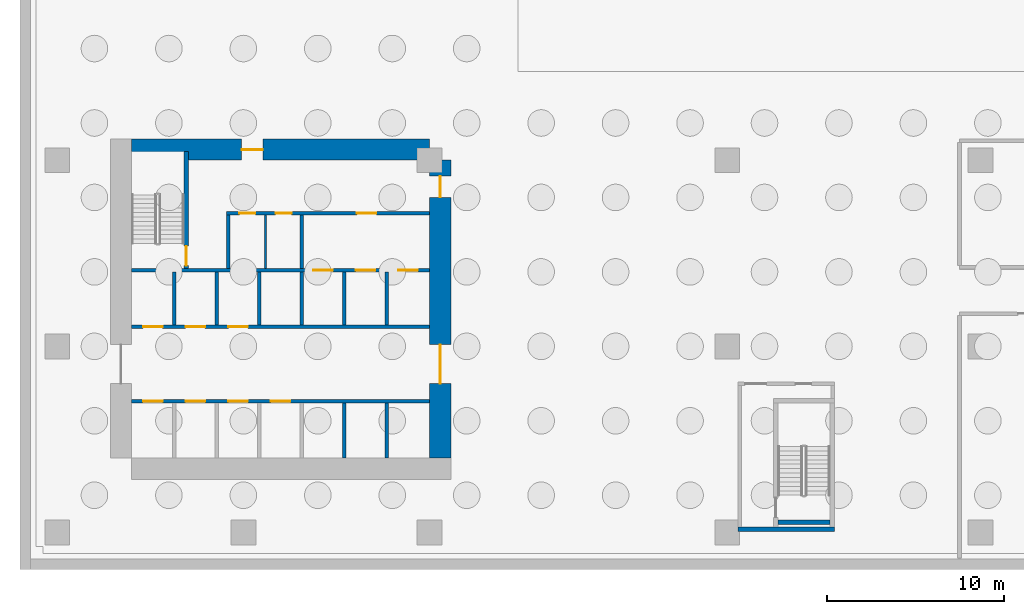
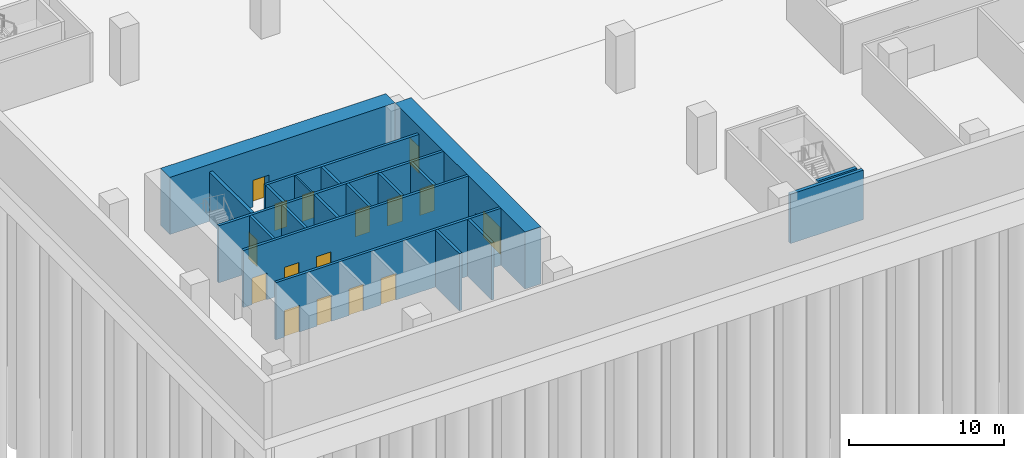
# One storey, part 3 of 13: 20 walls, 17 doors, 17 openings.
"""IFC4 building model written with IfcOpenShell, lengths in metres."""

from ifc_helpers import new_model, si_unit, direction, frame, frame_2d, origin, place, context, subcontext, project, spatial, rectangle, extrude, source, transform, mapped, material, layer, layer_set, type_object, element, fill, save


model = new_model("IFC4")

# Units and contexts
model_context = context("Model", 3, precision=1e-05, world=origin(), true_north=direction((0.0, 1.0)))
body_context = subcontext(model_context, "Body", "Model", "MODEL_VIEW")
ifc_project = project(units=[si_unit("LENGTHUNIT", "METRE"), si_unit("AREAUNIT", "SQUARE_METRE"), si_unit("VOLUMEUNIT", "CUBIC_METRE"), si_unit("PLANEANGLEUNIT", "RADIAN"), si_unit("MASSUNIT", "GRAM", prefix="KILO")], contexts=[model_context])

# Site, building, storey
site_placement = place(None, origin())
site = spatial("IfcSite", under=ifc_project, at=site_placement, CompositionType="ELEMENT")
building_placement = place(site_placement, origin())
building = spatial("IfcBuilding", under=site, at=building_placement, Name="Aurelian Terraces", CompositionType="ELEMENT")
storey_placement = place(building_placement, frame((0.0, 0.0, -13.5)))
storey = spatial("IfcBuildingStorey", under=building, at=storey_placement, Name="B3", CompositionType="ELEMENT", Elevation=-13.5)

# Wall, openings, doors
ifc_material_1 = material(Name="Concrete fc' 83 MPa", Category="concrete")
ifc_layer_1 = layer(ifc_material_1, 1.2)
ifc_layer_set_1 = layer_set([ifc_layer_1], Name="CORE WALL 1200 FC83")
wall_type_1 = type_object("IfcWallType", Name="CORE WALL 1200 FC83", PredefinedType="SHEAR", material=ifc_layer_set_1)
wall_1_placement = place(storey_placement, frame((21.6, 4.2, 0.0), z_axis=(0.0, 0.0, 1.0), x_axis=(0.0, 1.0, 0.0)))
wall_1 = element("IfcWall", 1, at=wall_1_placement, inside=storey, type_object=wall_type_1, Name="Core wall E B3", PredefinedType="SHEAR", context=body_context, shape_type="SweptSolid", body=[
    extrude(rectangle(XDim=16.8, YDim=1.2, at=frame_2d((8.4, 0.0))), origin(), (0.0, 0.0, 1.0), 4.5),
])
opening_1_placement = place(wall_1_placement, frame((4.2, 0.0, 0.0)))
opening_1 = element("IfcOpeningElement", 2, at=opening_1_placement, cuts=wall_1, Name="Opening 60020", PredefinedType="OPENING", context=body_context, shape_type="SweptSolid", body=[
    extrude(rectangle(XDim=2.2, YDim=2.1, at=frame_2d((1.1, 1.05))), frame((0.0, 0.61, 0.0), z_axis=(0.0, -1.0, 0.0), x_axis=(1.0, 0.0, 0.0)), (0.0, 0.0, 1.0), 1.22),
])
shared_shape_1 = source(origin(), body_context, "Body", "SweptSolid", [
    extrude(rectangle(XDim=1.2, YDim=2.1, at=frame_2d((0.6, 1.05))), frame((0.0, 0.61, 0.0), z_axis=(0.0, -1.0, 0.0), x_axis=(1.0, 0.0, 0.0)), (0.0, 0.0, 1.0), 1.22),
])
opening_2_placement = place(wall_1_placement, frame((14.7, 0.0, 0.0)))
opening_2 = element("IfcOpeningElement", 3, at=opening_2_placement, cuts=wall_1, Name="Opening 60023", PredefinedType="OPENING", context=body_context, shape_type="MappedRepresentation", body=[
    mapped(shared_shape_1, transform((0.0, 0.0, 0.0), scale=1.0)),
])
ifc_material_2 = material(Name="Steel door leaf", Category="steel")
door_type_1 = type_object("IfcDoorType", Name="Core double door 2200x2100", OperationType="DOUBLE_DOOR_SINGLE_SWING", PredefinedType="DOOR", material=ifc_material_2)
door_1_placement = place(opening_1_placement, origin())
door_1 = element("IfcDoor", 4, at=door_1_placement, inside=storey, type_object=door_type_1, Name="Core door 60020", OperationType="DOUBLE_DOOR_SINGLE_SWING", OverallHeight=2.1, OverallWidth=2.2, PredefinedType="DOOR", context=body_context, shape_type="SweptSolid", body=[
    extrude(rectangle(XDim=2.2, YDim=2.1, at=frame_2d((1.1, 1.05))), frame((0.0, 0.025, 0.0), z_axis=(0.0, -1.0, 0.0), x_axis=(1.0, 0.0, 0.0)), (0.0, 0.0, 1.0), 0.05),
])
fill(opening_1, door_1)
door_type_2 = type_object("IfcDoorType", Name="Core fire door 1200x2100 right", OperationType="SINGLE_SWING_RIGHT", PredefinedType="DOOR", material=ifc_material_2)
shared_shape_2 = source(origin(), body_context, "Body", "SweptSolid", [
    extrude(rectangle(XDim=1.2, YDim=2.1, at=frame_2d((0.6, 1.05))), frame((0.0, 0.025, 0.0), z_axis=(0.0, -1.0, 0.0), x_axis=(1.0, 0.0, 0.0)), (0.0, 0.0, 1.0), 0.05),
])
door_2_placement = place(opening_2_placement, origin())
door_2 = element("IfcDoor", 5, at=door_2_placement, inside=storey, type_object=door_type_2, Name="Core door 60023", OperationType="SINGLE_SWING_RIGHT", OverallHeight=2.1, OverallWidth=1.2, PredefinedType="DOOR", context=body_context, shape_type="MappedRepresentation", body=[
    mapped(shared_shape_2, transform((0.0, 0.0, 0.0), scale=1.0)),
])
fill(opening_2, door_2)

# Walls
ifc_material_3 = material(Name="Gypsum board on steel studs", Category="steel")
ifc_layer_2 = layer(ifc_material_3, 0.1)
ifc_layer_set_2 = layer_set([ifc_layer_2], Name="Core partition 100")
wall_type_2 = type_object("IfcWallType", Name="Core partition 100", PredefinedType="PARTITIONING", material=ifc_layer_set_2)
wall_2_placement = place(storey_placement, frame((11.75, 14.9, 0.0), z_axis=(0.0, 0.0, 1.0), x_axis=(0.0, 1.0, 0.0)))
element("IfcWall", 6, at=wall_2_placement, inside=storey, type_object=wall_type_2, Name="B3 core wall CP-SV1", PredefinedType="PARTITIONING", context=body_context, shape_type="SweptSolid", body=[
    extrude(rectangle(XDim=3.0, YDim=0.1, at=frame_2d((1.5, 0.0))), origin(), (0.0, 0.0, 1.0), 3.9),
])
ifc_layer_3 = layer(ifc_material_3, 0.2)
ifc_layer_set_3 = layer_set([ifc_layer_3], Name="Core partition 200")
wall_type_3 = type_object("IfcWallType", Name="Core partition 200", PredefinedType="PARTITIONING", material=ifc_layer_set_3)
wall_3_placement = place(storey_placement, frame((9.65, 14.9, 0.0), z_axis=(0.0, 0.0, 1.0), x_axis=(0.0, 1.0, 0.0)))
element("IfcWall", 7, at=wall_3_placement, inside=storey, type_object=wall_type_3, Name="B3 core wall CP-VEST", PredefinedType="PARTITIONING", context=body_context, shape_type="SweptSolid", body=[
    extrude(rectangle(XDim=3.0, YDim=0.2, at=frame_2d((1.5, 0.0))), origin(), (0.0, 0.0, 1.0), 3.9),
])

# Wall, openings, doors
wall_4_placement = place(storey_placement, frame((9.55, 18.0, 0.0), z_axis=(0.0, 0.0, 1.0), x_axis=(1.0, 0.0, 0.0)))
wall_4 = element("IfcWall", 8, at=wall_4_placement, inside=storey, type_object=wall_type_3, Name="B3 core wall CP-NORTH", PredefinedType="PARTITIONING", context=body_context, shape_type="SweptSolid", body=[
    extrude(rectangle(XDim=11.45, YDim=0.2, at=frame_2d((5.725, 0.0))), origin(), (0.0, 0.0, 1.0), 3.9),
])
opening_3_placement = place(wall_4_placement, frame((0.725, 0.0, 0.0)))
opening_3 = element("IfcOpeningElement", 9, at=opening_3_placement, cuts=wall_4, Name="Opening 60011", PredefinedType="OPENING", context=body_context, shape_type="SweptSolid", body=[
    extrude(rectangle(XDim=0.9, YDim=2.1, at=frame_2d((0.45, 1.05))), frame((0.0, 0.11, 0.0), z_axis=(0.0, -1.0, 0.0), x_axis=(1.0, 0.0, 0.0)), (0.0, 0.0, 1.0), 0.22),
])
shared_shape_3 = source(origin(), body_context, "Body", "SweptSolid", [
    extrude(rectangle(XDim=0.9, YDim=2.1, at=frame_2d((0.45, 1.05))), frame((0.0, 0.11, 0.0), z_axis=(0.0, -1.0, 0.0), x_axis=(1.0, 0.0, 0.0)), (0.0, 0.0, 1.0), 0.22),
])
opening_4_placement = place(wall_4_placement, frame((2.775, 0.0, 0.0)))
opening_4 = element("IfcOpeningElement", 10, at=opening_4_placement, cuts=wall_4, Name="Opening 60012", PredefinedType="OPENING", context=body_context, shape_type="MappedRepresentation", body=[
    mapped(shared_shape_3, transform((0.0, 0.0, 0.0), scale=1.0)),
])
shared_shape_4 = source(origin(), body_context, "Body", "SweptSolid", [
    extrude(rectangle(XDim=1.1, YDim=2.1, at=frame_2d((0.55, 1.05))), frame((0.0, 0.11, 0.0), z_axis=(0.0, -1.0, 0.0), x_axis=(1.0, 0.0, 0.0)), (0.0, 0.0, 1.0), 0.22),
])
opening_5_placement = place(wall_4_placement, frame((7.35, 0.0, 0.0)))
opening_5 = element("IfcOpeningElement", 11, at=opening_5_placement, cuts=wall_4, Name="Opening 60013", PredefinedType="OPENING", context=body_context, shape_type="MappedRepresentation", body=[
    mapped(shared_shape_4, transform((0.0, 0.0, 0.0), scale=1.0)),
])
door_type_3 = type_object("IfcDoorType", Name="Core service door 900x2100 right", OperationType="SINGLE_SWING_RIGHT", PredefinedType="DOOR", material=ifc_material_2)
shared_shape_5 = source(origin(), body_context, "Body", "SweptSolid", [
    extrude(rectangle(XDim=0.9, YDim=2.1, at=frame_2d((0.45, 1.05))), frame((0.0, 0.025, 0.0), z_axis=(0.0, -1.0, 0.0), x_axis=(1.0, 0.0, 0.0)), (0.0, 0.0, 1.0), 0.05),
])
door_3_placement = place(opening_3_placement, origin())
door_3 = element("IfcDoor", 12, at=door_3_placement, inside=storey, type_object=door_type_3, Name="Room door 60011", OperationType="SINGLE_SWING_RIGHT", OverallHeight=2.1, OverallWidth=0.9, PredefinedType="DOOR", context=body_context, shape_type="MappedRepresentation", body=[
    mapped(shared_shape_5, transform((0.0, 0.0, 0.0), scale=1.0)),
])
fill(opening_3, door_3)
door_type_4 = type_object("IfcDoorType", Name="Core service door 900x2100", OperationType="SINGLE_SWING_LEFT", PredefinedType="DOOR", material=ifc_material_2)
door_4_placement = place(opening_4_placement, origin())
door_4 = element("IfcDoor", 13, at=door_4_placement, inside=storey, type_object=door_type_4, Name="Room door 60012", OperationType="SINGLE_SWING_LEFT", OverallHeight=2.1, OverallWidth=0.9, PredefinedType="DOOR", context=body_context, shape_type="MappedRepresentation", body=[
    mapped(shared_shape_5, transform((0.0, 0.0, 0.0), scale=1.0)),
])
fill(opening_4, door_4)
door_type_5 = type_object("IfcDoorType", Name="Core fire door 1100x2100 right", OperationType="SINGLE_SWING_RIGHT", PredefinedType="DOOR", material=ifc_material_2)
shared_shape_6 = source(origin(), body_context, "Body", "SweptSolid", [
    extrude(rectangle(XDim=1.1, YDim=2.1, at=frame_2d((0.55, 1.05))), frame((0.0, 0.025, 0.0), z_axis=(0.0, -1.0, 0.0), x_axis=(1.0, 0.0, 0.0)), (0.0, 0.0, 1.0), 0.05),
])
door_5_placement = place(opening_5_placement, origin())
door_5 = element("IfcDoor", 14, at=door_5_placement, inside=storey, type_object=door_type_5, Name="Ff lobby door 60013", OperationType="SINGLE_SWING_RIGHT", OverallHeight=2.1, OverallWidth=1.1, PredefinedType="DOOR", context=body_context, shape_type="MappedRepresentation", body=[
    mapped(shared_shape_6, transform((0.0, 0.0, 0.0), scale=1.0)),
])
fill(opening_5, door_5)

# Wall
ifc_material_4 = material(Name="Concrete fc' 40 MPa", Category="concrete")
ifc_layer_4 = layer(ifc_material_4, 0.2)
ifc_layer_set_4 = layer_set([ifc_layer_4], Name="Lift shaft wall 200")
wall_type_4 = type_object("IfcWallType", Name="Lift shaft wall 200", PredefinedType="SOLIDWALL", material=ifc_layer_set_4)
wall_5_placement = place(storey_placement, frame((6.6, 11.7, 0.0), z_axis=(0.0, 0.0, 1.0), x_axis=(0.0, 1.0, 0.0)))
element("IfcWall", 15, at=wall_5_placement, inside=storey, type_object=wall_type_4, Name="B3 core wall CD-B1", PredefinedType="SOLIDWALL", context=body_context, shape_type="SweptSolid", body=[
    extrude(rectangle(XDim=3.0, YDim=0.2, at=frame_2d((1.5, 0.0))), origin(), (0.0, 0.0, 1.0), 4.5),
])

# Wall, openings, doors
wall_6_placement = place(storey_placement, frame((4.2, 7.4, 0.0), z_axis=(0.0, 0.0, 1.0), x_axis=(1.0, 0.0, 0.0)))
wall_6 = element("IfcWall", 16, at=wall_6_placement, inside=storey, type_object=wall_type_4, Name="B3 core wall CF-AF1", PredefinedType="SOLIDWALL", context=body_context, shape_type="SweptSolid", body=[
    extrude(rectangle(XDim=16.8, YDim=0.2, at=frame_2d((8.4, 0.0))), origin(), (0.0, 0.0, 1.0), 4.5),
])
opening_6_placement = place(wall_6_placement, frame((0.65, 0.0, 0.0)))
opening_6 = element("IfcOpeningElement", 17, at=opening_6_placement, cuts=wall_6, Name="Opening 60000", PredefinedType="OPENING", context=body_context, shape_type="SweptSolid", body=[
    extrude(rectangle(XDim=1.1, YDim=2.1, at=frame_2d((0.55, 1.05))), frame((0.0, 0.11, 0.0), z_axis=(0.0, -1.0, 0.0), x_axis=(1.0, 0.0, 0.0)), (0.0, 0.0, 1.0), 0.22),
])
opening_7_placement = place(wall_6_placement, frame((3.05, 0.0, 0.0)))
opening_7 = element("IfcOpeningElement", 18, at=opening_7_placement, cuts=wall_6, Name="Opening 60001", PredefinedType="OPENING", context=body_context, shape_type="MappedRepresentation", body=[
    mapped(shared_shape_4, transform((0.0, 0.0, 0.0), scale=1.0)),
])
opening_8_placement = place(wall_6_placement, frame((5.45, 0.0, 0.0)))
opening_8 = element("IfcOpeningElement", 19, at=opening_8_placement, cuts=wall_6, Name="Opening 60002", PredefinedType="OPENING", context=body_context, shape_type="MappedRepresentation", body=[
    mapped(shared_shape_4, transform((0.0, 0.0, 0.0), scale=1.0)),
])
opening_9_placement = place(wall_6_placement, frame((7.85, 0.0, 0.0)))
opening_9 = element("IfcOpeningElement", 20, at=opening_9_placement, cuts=wall_6, Name="Opening 60003", PredefinedType="OPENING", context=body_context, shape_type="MappedRepresentation", body=[
    mapped(shared_shape_4, transform((0.0, 0.0, 0.0), scale=1.0)),
])
ifc_material_5 = material(Name="Stainless steel", Category="steel")
door_type_6 = type_object("IfcDoorType", Name="Lift landing door 1100x2100", OperationType="SLIDING_TO_LEFT", PredefinedType="DOOR", material=ifc_material_5)
door_6_placement = place(opening_6_placement, origin())
door_6 = element("IfcDoor", 21, at=door_6_placement, inside=storey, type_object=door_type_6, Name="Lift landing door LL1 B3", OperationType="SLIDING_TO_LEFT", OverallHeight=2.1, OverallWidth=1.1, PredefinedType="DOOR", context=body_context, shape_type="SweptSolid", body=[
    extrude(rectangle(XDim=1.1, YDim=2.1, at=frame_2d((0.55, 1.05))), frame((0.0, 0.025, 0.0), z_axis=(0.0, -1.0, 0.0), x_axis=(1.0, 0.0, 0.0)), (0.0, 0.0, 1.0), 0.05),
])
fill(opening_6, door_6)
door_7_placement = place(opening_7_placement, origin())
door_7 = element("IfcDoor", 22, at=door_7_placement, inside=storey, type_object=door_type_6, Name="Lift landing door LL2 B3", OperationType="SLIDING_TO_LEFT", OverallHeight=2.1, OverallWidth=1.1, PredefinedType="DOOR", context=body_context, shape_type="MappedRepresentation", body=[
    mapped(shared_shape_6, transform((0.0, 0.0, 0.0), scale=1.0)),
])
fill(opening_7, door_7)
door_8_placement = place(opening_8_placement, origin())
door_8 = element("IfcDoor", 23, at=door_8_placement, inside=storey, type_object=door_type_6, Name="Lift landing door LL3 B3", OperationType="SLIDING_TO_LEFT", OverallHeight=2.1, OverallWidth=1.1, PredefinedType="DOOR", context=body_context, shape_type="MappedRepresentation", body=[
    mapped(shared_shape_6, transform((0.0, 0.0, 0.0), scale=1.0)),
])
fill(opening_8, door_8)
door_9_placement = place(opening_9_placement, origin())
door_9 = element("IfcDoor", 24, at=door_9_placement, inside=storey, type_object=door_type_6, Name="Lift landing door LL4 B3", OperationType="SLIDING_TO_LEFT", OverallHeight=2.1, OverallWidth=1.1, PredefinedType="DOOR", context=body_context, shape_type="MappedRepresentation", body=[
    mapped(shared_shape_6, transform((0.0, 0.0, 0.0), scale=1.0)),
])
fill(opening_9, door_9)

# Wall, opening, door
ifc_layer_5 = layer(ifc_material_4, 0.25)
ifc_layer_set_5 = layer_set([ifc_layer_5], Name="Stair enclosure wall 250")
wall_type_5 = type_object("IfcWallType", Name="Stair enclosure wall 250", PredefinedType="SOLIDWALL", material=ifc_layer_set_5)
wall_7_placement = place(storey_placement, frame((7.275, 14.9, 0.0), z_axis=(0.0, 0.0, 1.0), x_axis=(0.0, 1.0, 0.0)))
wall_7 = element("IfcWall", 25, at=wall_7_placement, inside=storey, type_object=wall_type_5, Name="B3 core wall ST-S1-E", PredefinedType="SOLIDWALL", context=body_context, shape_type="SweptSolid", body=[
    extrude(rectangle(XDim=6.6, YDim=0.25, at=frame_2d((3.3, 0.0))), origin(), (0.0, 0.0, 1.0), 3.9),
])
opening_10_placement = place(wall_7_placement, frame((0.15, 0.0, 0.0)))
opening_10 = element("IfcOpeningElement", 26, at=opening_10_placement, cuts=wall_7, Name="Opening 60010", PredefinedType="OPENING", context=body_context, shape_type="SweptSolid", body=[
    extrude(rectangle(XDim=1.1, YDim=2.1, at=frame_2d((0.55, 1.05))), frame((0.0, 0.135, 0.0), z_axis=(0.0, -1.0, 0.0), x_axis=(1.0, 0.0, 0.0)), (0.0, 0.0, 1.0), 0.27),
])
door_type_7 = type_object("IfcDoorType", Name="Core fire door 1100x2100", OperationType="SINGLE_SWING_LEFT", PredefinedType="DOOR", material=ifc_material_2)
door_10_placement = place(opening_10_placement, origin())
door_10 = element("IfcDoor", 27, at=door_10_placement, inside=storey, type_object=door_type_7, Name="Stair door 60010", OperationType="SINGLE_SWING_LEFT", OverallHeight=2.1, OverallWidth=1.1, PredefinedType="DOOR", context=body_context, shape_type="MappedRepresentation", body=[
    mapped(shared_shape_6, transform((0.0, 0.0, 0.0), scale=1.0)),
])
fill(opening_10, door_10)

# Walls
wall_8_placement = place(storey_placement, frame((40.65, 0.575, 0.0), z_axis=(0.0, 0.0, 1.0), x_axis=(1.0, 0.0, 0.0)))
element("IfcWall", 28, at=wall_8_placement, inside=storey, type_object=wall_type_5, Name="B3 core wall ST-S2-SS", PredefinedType="SOLIDWALL", context=body_context, shape_type="SweptSolid", body=[
    extrude(rectangle(XDim=2.95, YDim=0.25, at=frame_2d((1.475, 0.0))), origin(), (0.0, 0.0, 1.0), 3.9),
])
wall_9_placement = place(storey_placement, frame((38.4, 0.175, 0.0), z_axis=(0.0, 0.0, 1.0), x_axis=(1.0, 0.0, 0.0)))
element("IfcWall", 29, at=wall_9_placement, inside=storey, type_object=wall_type_5, Name="B3 core wall ST-S2-S", PredefinedType="SOLIDWALL", context=body_context, shape_type="SweptSolid", body=[
    extrude(rectangle(XDim=5.45, YDim=0.25, at=frame_2d((2.725, 0.0))), origin(), (0.0, 0.0, 1.0), 3.9),
])

# Wall, opening, door
shared_shape_7 = source(origin(), body_context, "Body", "SweptSolid", [
    extrude(rectangle(XDim=16.8, YDim=1.2, at=frame_2d((8.4, 0.0))), origin(), (0.0, 0.0, 1.0), 4.5),
])
wall_10_placement = place(storey_placement, frame((4.2, 21.6, 0.0), z_axis=(0.0, 0.0, 1.0), x_axis=(1.0, 0.0, 0.0)))
wall_10 = element("IfcWall", 30, at=wall_10_placement, inside=storey, type_object=wall_type_1, Name="Core wall N B3", PredefinedType="SHEAR", context=body_context, shape_type="MappedRepresentation", body=[
    mapped(shared_shape_7, transform((0.0, 0.0, 0.0), scale=1.0)),
])
opening_11_placement = place(wall_10_placement, frame((6.2, 0.0, 0.0)))
opening_11 = element("IfcOpeningElement", 31, at=opening_11_placement, cuts=wall_10, Name="Opening 60022", PredefinedType="OPENING", context=body_context, shape_type="SweptSolid", body=[
    extrude(rectangle(XDim=1.2, YDim=2.1, at=frame_2d((0.6, 1.05))), frame((0.0, 0.61, 0.0), z_axis=(0.0, -1.0, 0.0), x_axis=(1.0, 0.0, 0.0)), (0.0, 0.0, 1.0), 1.22),
])
door_type_8 = type_object("IfcDoorType", Name="Core fire door 1200x2100", OperationType="SINGLE_SWING_LEFT", PredefinedType="DOOR", material=ifc_material_2)
door_11_placement = place(opening_11_placement, origin())
door_11 = element("IfcDoor", 32, at=door_11_placement, inside=storey, type_object=door_type_8, Name="Core door 60022", OperationType="SINGLE_SWING_LEFT", OverallHeight=2.1, OverallWidth=1.2, PredefinedType="DOOR", context=body_context, shape_type="MappedRepresentation", body=[
    mapped(shared_shape_2, transform((0.0, 0.0, 0.0), scale=1.0)),
])
fill(opening_11, door_11)

# Walls
shared_shape_8 = source(origin(), body_context, "Body", "SweptSolid", [
    extrude(rectangle(XDim=3.1, YDim=0.2, at=frame_2d((1.55, 0.0))), origin(), (0.0, 0.0, 1.0), 4.5),
])
for number, where, z_axis, x_axis, name in (
    (33, (16.2, 4.2, 0.0), (0.0, 0.0, 1.0), (0.0, 1.0, 0.0), "B3 core wall CD-A5"),
    (34, (18.6, 4.2, 0.0), (0.0, 0.0, 1.0), (0.0, 1.0, 0.0), "B3 core wall CD-A6"),
):
    element("IfcWall", number, at=place(storey_placement, frame(where, z_axis=z_axis, x_axis=x_axis)), inside=storey, type_object=wall_type_4, Name=name, PredefinedType="SOLIDWALL", context=body_context, shape_type="MappedRepresentation", body=[
        mapped(shared_shape_8, transform((0.0, 0.0, 0.0), scale=1.0)),
    ])
shared_shape_9 = source(origin(), body_context, "Body", "SweptSolid", [
    extrude(rectangle(XDim=3.0, YDim=0.2, at=frame_2d((1.5, 0.0))), origin(), (0.0, 0.0, 1.0), 4.5),
])
for number, where, z_axis, x_axis, name in (
    (35, (9.0, 11.7, 0.0), (0.0, 0.0, 1.0), (0.0, 1.0, 0.0), "B3 core wall CD-B2"),
    (36, (11.4, 11.7, 0.0), (0.0, 0.0, 1.0), (0.0, 1.0, 0.0), "B3 core wall CD-B3"),
    (37, (13.8, 11.7, 0.0), (0.0, 0.0, 1.0), (0.0, 1.0, 0.0), "B3 core wall CD-B4"),
    (38, (16.2, 11.7, 0.0), (0.0, 0.0, 1.0), (0.0, 1.0, 0.0), "B3 core wall CD-B5"),
    (39, (18.6, 11.7, 0.0), (0.0, 0.0, 1.0), (0.0, 1.0, 0.0), "B3 core wall CD-B6"),
):
    element("IfcWall", number, at=place(storey_placement, frame(where, z_axis=z_axis, x_axis=x_axis)), inside=storey, type_object=wall_type_4, Name=name, PredefinedType="SOLIDWALL", context=body_context, shape_type="MappedRepresentation", body=[
        mapped(shared_shape_9, transform((0.0, 0.0, 0.0), scale=1.0)),
    ])

# Wall, openings, doors
shared_shape_10 = source(origin(), body_context, "Body", "SweptSolid", [
    extrude(rectangle(XDim=16.8, YDim=0.2, at=frame_2d((8.4, 0.0))), origin(), (0.0, 0.0, 1.0), 4.5),
])
wall_11_placement = place(storey_placement, frame((4.2, 11.6, 0.0), z_axis=(0.0, 0.0, 1.0), x_axis=(1.0, 0.0, 0.0)))
wall_11 = element("IfcWall", 40, at=wall_11_placement, inside=storey, type_object=wall_type_4, Name="B3 core wall CF-BF1", PredefinedType="SOLIDWALL", context=body_context, shape_type="MappedRepresentation", body=[
    mapped(shared_shape_10, transform((0.0, 0.0, 0.0), scale=1.0)),
])
opening_12_placement = place(wall_11_placement, frame((0.65, 0.0, 0.0)))
opening_12 = element("IfcOpeningElement", 41, at=opening_12_placement, cuts=wall_11, Name="Opening 60004", PredefinedType="OPENING", context=body_context, shape_type="MappedRepresentation", body=[
    mapped(shared_shape_4, transform((0.0, 0.0, 0.0), scale=1.0)),
])
opening_13_placement = place(wall_11_placement, frame((3.05, 0.0, 0.0)))
opening_13 = element("IfcOpeningElement", 42, at=opening_13_placement, cuts=wall_11, Name="Opening 60005", PredefinedType="OPENING", context=body_context, shape_type="MappedRepresentation", body=[
    mapped(shared_shape_4, transform((0.0, 0.0, 0.0), scale=1.0)),
])
opening_14_placement = place(wall_11_placement, frame((5.45, 0.0, 0.0)))
opening_14 = element("IfcOpeningElement", 43, at=opening_14_placement, cuts=wall_11, Name="Opening 60006", PredefinedType="OPENING", context=body_context, shape_type="MappedRepresentation", body=[
    mapped(shared_shape_4, transform((0.0, 0.0, 0.0), scale=1.0)),
])
door_12_placement = place(opening_12_placement, origin())
door_12 = element("IfcDoor", 44, at=door_12_placement, inside=storey, type_object=door_type_6, Name="Lift landing door LL5 B3", OperationType="SLIDING_TO_LEFT", OverallHeight=2.1, OverallWidth=1.1, PredefinedType="DOOR", context=body_context, shape_type="MappedRepresentation", body=[
    mapped(shared_shape_6, transform((0.0, 0.0, 0.0), scale=1.0)),
])
fill(opening_12, door_12)
door_13_placement = place(opening_13_placement, origin())
door_13 = element("IfcDoor", 45, at=door_13_placement, inside=storey, type_object=door_type_6, Name="Lift landing door LL6 B3", OperationType="SLIDING_TO_LEFT", OverallHeight=2.1, OverallWidth=1.1, PredefinedType="DOOR", context=body_context, shape_type="MappedRepresentation", body=[
    mapped(shared_shape_6, transform((0.0, 0.0, 0.0), scale=1.0)),
])
fill(opening_13, door_13)
door_14_placement = place(opening_14_placement, origin())
door_14 = element("IfcDoor", 46, at=door_14_placement, inside=storey, type_object=door_type_6, Name="Lift landing door LL7 B3", OperationType="SLIDING_TO_LEFT", OverallHeight=2.1, OverallWidth=1.1, PredefinedType="DOOR", context=body_context, shape_type="MappedRepresentation", body=[
    mapped(shared_shape_6, transform((0.0, 0.0, 0.0), scale=1.0)),
])
fill(opening_14, door_14)

wall_12_placement = place(storey_placement, frame((4.2, 14.8, 0.0), z_axis=(0.0, 0.0, 1.0), x_axis=(1.0, 0.0, 0.0)))
wall_12 = element("IfcWall", 47, at=wall_12_placement, inside=storey, type_object=wall_type_4, Name="B3 core wall CF-BB1", PredefinedType="SOLIDWALL", context=body_context, shape_type="MappedRepresentation", body=[
    mapped(shared_shape_10, transform((0.0, 0.0, 0.0), scale=1.0)),
])
opening_15_placement = place(wall_12_placement, frame((10.25, 0.0, 0.0)))
opening_15 = element("IfcOpeningElement", 48, at=opening_15_placement, cuts=wall_12, Name="Opening 60007", PredefinedType="OPENING", context=body_context, shape_type="MappedRepresentation", body=[
    mapped(shared_shape_4, transform((0.0, 0.0, 0.0), scale=1.0)),
])
opening_16_placement = place(wall_12_placement, frame((12.65, 0.0, 0.0)))
opening_16 = element("IfcOpeningElement", 49, at=opening_16_placement, cuts=wall_12, Name="Opening 60008", PredefinedType="OPENING", context=body_context, shape_type="MappedRepresentation", body=[
    mapped(shared_shape_4, transform((0.0, 0.0, 0.0), scale=1.0)),
])
opening_17_placement = place(wall_12_placement, frame((15.05, 0.0, 0.0)))
opening_17 = element("IfcOpeningElement", 50, at=opening_17_placement, cuts=wall_12, Name="Opening 60009", PredefinedType="OPENING", context=body_context, shape_type="MappedRepresentation", body=[
    mapped(shared_shape_4, transform((0.0, 0.0, 0.0), scale=1.0)),
])
door_15_placement = place(opening_15_placement, origin())
door_15 = element("IfcDoor", 51, at=door_15_placement, inside=storey, type_object=door_type_6, Name="Lift landing door F1 B3", OperationType="SLIDING_TO_LEFT", OverallHeight=2.1, OverallWidth=1.1, PredefinedType="DOOR", context=body_context, shape_type="MappedRepresentation", body=[
    mapped(shared_shape_6, transform((0.0, 0.0, 0.0), scale=1.0)),
])
fill(opening_15, door_15)
door_16_placement = place(opening_16_placement, origin())
door_16 = element("IfcDoor", 52, at=door_16_placement, inside=storey, type_object=door_type_6, Name="Lift landing door F2 B3", OperationType="SLIDING_TO_LEFT", OverallHeight=2.1, OverallWidth=1.1, PredefinedType="DOOR", context=body_context, shape_type="MappedRepresentation", body=[
    mapped(shared_shape_6, transform((0.0, 0.0, 0.0), scale=1.0)),
])
fill(opening_16, door_16)
door_17_placement = place(opening_17_placement, origin())
door_17 = element("IfcDoor", 53, at=door_17_placement, inside=storey, type_object=door_type_6, Name="Lift landing door F3 B3", OperationType="SLIDING_TO_LEFT", OverallHeight=2.1, OverallWidth=1.1, PredefinedType="DOOR", context=body_context, shape_type="MappedRepresentation", body=[
    mapped(shared_shape_6, transform((0.0, 0.0, 0.0), scale=1.0)),
])
fill(opening_17, door_17)

# Wall
shared_shape_11 = source(origin(), body_context, "Body", "SweptSolid", [
    extrude(rectangle(XDim=3.0, YDim=0.2, at=frame_2d((1.5, 0.0))), origin(), (0.0, 0.0, 1.0), 3.9),
])
wall_13_placement = place(storey_placement, frame((13.8, 14.9, 0.0), z_axis=(0.0, 0.0, 1.0), x_axis=(0.0, 1.0, 0.0)))
element("IfcWall", 54, at=wall_13_placement, inside=storey, type_object=wall_type_3, Name="B3 core wall CP-FFL", PredefinedType="PARTITIONING", context=body_context, shape_type="MappedRepresentation", body=[
    mapped(shared_shape_11, transform((0.0, 0.0, 0.0), scale=1.0)),
])

save(model, "model.ifc")
